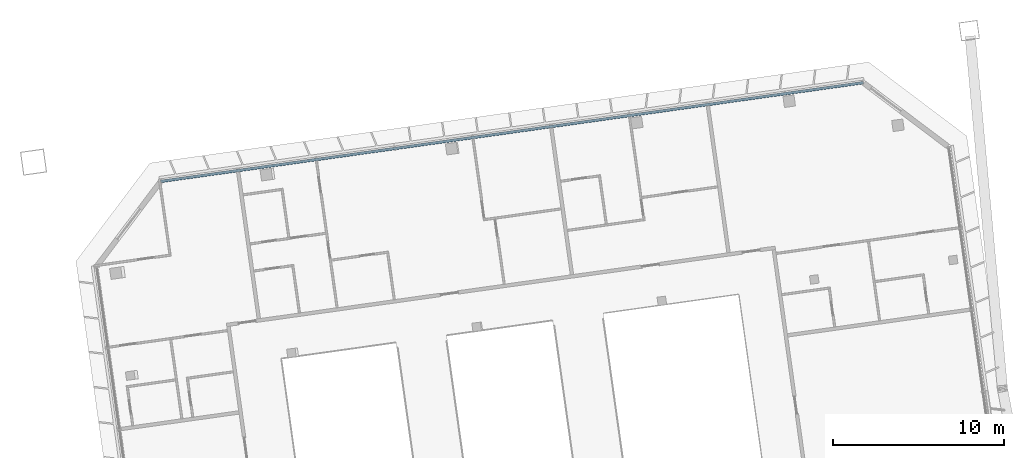
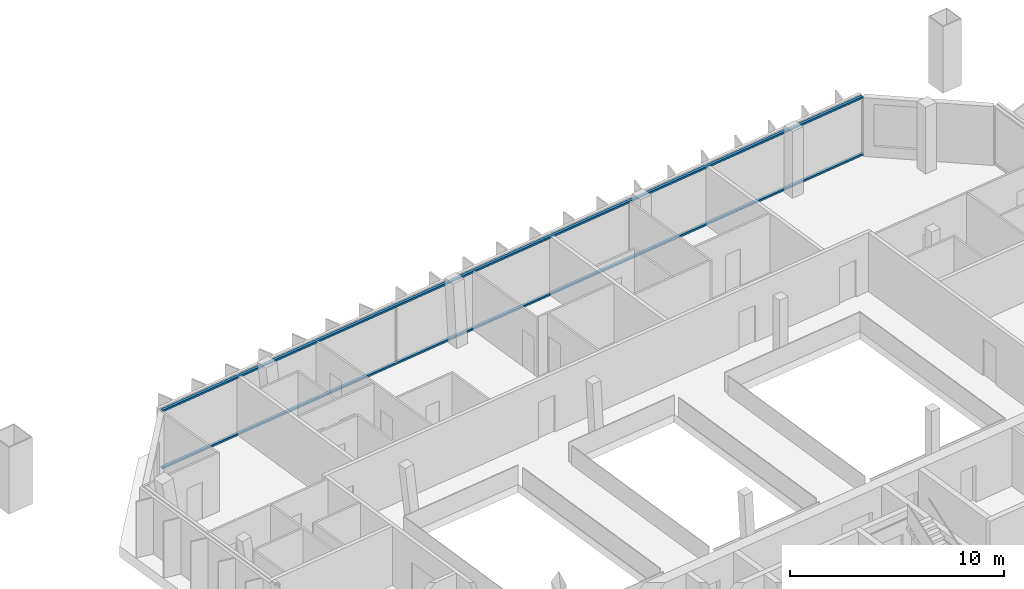
# One storey, part 9 of 23: 2 members, 1 element without a shape of its own.
"""IFC4 building model written with IfcOpenShell, lengths in metres."""

from ifc_helpers import new_model, si_unit, direction, frame, origin, origin_2d, place, context, subcontext, project, spatial, rectangle, extrude, material, material_profile, profile_set, type_object, element, aggregate, save


model = new_model("IFC4")

# Units and contexts
model_context = context("Model", 3, precision=1e-05, world=origin(), true_north=direction((0.0, 1.0)))
body_context = subcontext(model_context, "Body", "Model", "MODEL_VIEW")
ifc_project = project(units=[si_unit("LENGTHUNIT", "METRE"), si_unit("AREAUNIT", "SQUARE_METRE"), si_unit("VOLUMEUNIT", "CUBIC_METRE"), si_unit("PLANEANGLEUNIT", "RADIAN"), si_unit("MASSUNIT", "GRAM", prefix="KILO")], contexts=[model_context])

# Site, building, storey
site_placement = place(None, origin())
site = spatial("IfcSite", under=ifc_project, at=site_placement, CompositionType="ELEMENT")
building_placement = place(site_placement, origin())
building = spatial("IfcBuilding", under=site, at=building_placement, Name="Mirante Cascada Hotel Towers", CompositionType="ELEMENT")
storey_placement = place(building_placement, frame((0.0, 0.0, 220.4)))
storey = spatial("IfcBuildingStorey", under=building, at=storey_placement, Name="L52", CompositionType="ELEMENT", Elevation=220.4)

# Curtain wall, members
ifc_material_1 = material(Name="Aluminium mullion and transom frame with clear laminated glass", Category="aluminium")
curtain_wall_type = type_object("IfcCurtainWallType", Name="Ribbon curtain wall ECW1", PredefinedType="NOTDEFINED", material=ifc_material_1)
curtain_wall_placement = place(storey_placement, origin())
curtain_wall = element("IfcCurtainWall", 1, at=curtain_wall_placement, inside=storey, type_object=curtain_wall_type, Name="Front ribbon wall T2 L52", PredefinedType="NOTDEFINED")
ifc_material_2 = material(Name="Anodised aluminium extrusion", Category="aluminium")
ifc_material_profile = material_profile(ifc_material_2, rectangle(XDim=0.16, YDim=0.1, at=origin_2d()), Name="ECW1 TRANSOM 100x160")
ifc_profile_set = profile_set([ifc_material_profile], Name="Anodised aluminium extrusion")
member_type = type_object("IfcMemberType", Name="ECW1 transom 100x160", PredefinedType="USERDEFINED", material=ifc_profile_set)
member_1_placement = place(storey_placement, frame((67.4209, 22.2944, 0.05), z_axis=(-0.9902681, -0.1391729, 0.0), x_axis=(0.1391729, -0.9902681, 0.0)))
member_1 = element("IfcMember", 2, at=member_1_placement, type_object=member_type, Name="ECW1 sill transom", ObjectType="TRANSOM", PredefinedType="USERDEFINED", context=body_context, shape_type="SweptSolid", body=[
    extrude(rectangle(XDim=0.16, YDim=0.1, at=origin_2d()), origin(), (0.0, 0.0, 1.0), 41.4822),
])
member_2_placement = place(storey_placement, frame((67.4209, 22.2944, 3.3), z_axis=(-0.9902681, -0.1391729, 0.0), x_axis=(0.1391729, -0.9902681, 0.0)))
member_2 = element("IfcMember", 3, at=member_2_placement, type_object=member_type, Name="ECW1 head transom", ObjectType="TRANSOM", PredefinedType="USERDEFINED", context=body_context, shape_type="SweptSolid", body=[
    extrude(rectangle(XDim=0.16, YDim=0.1, at=origin_2d()), origin(), (0.0, 0.0, 1.0), 41.4822),
])
aggregate(curtain_wall, [member_1, member_2])

save(model, "model.ifc")
